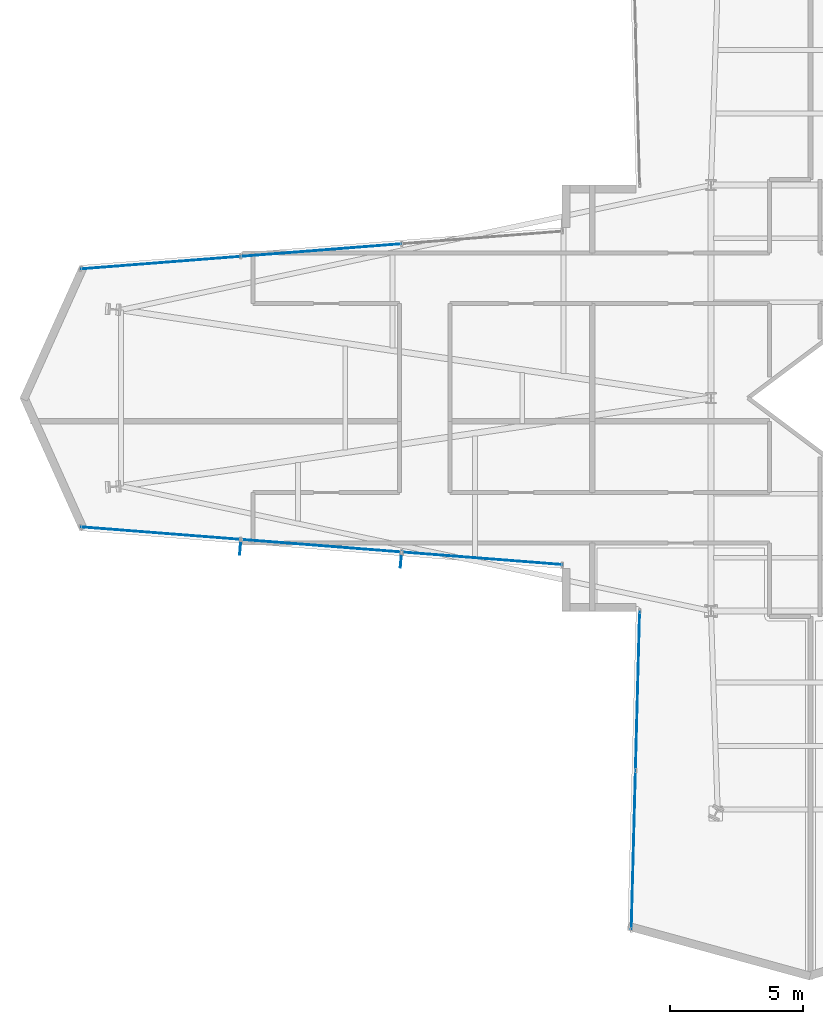
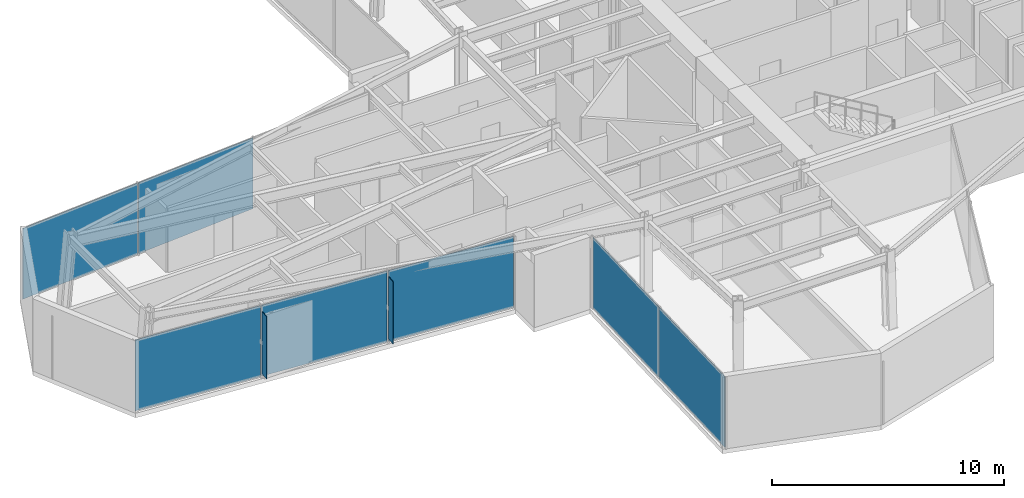
# One storey, part 24 of 31: 9 plates, 3 elements without a shape of their own.
"""IFC4 building model written with IfcOpenShell, lengths in metres."""

import ifcopenshell
import ifcopenshell.guid

model = None  # the IFC model being written
_history = None  # IfcOwnerHistory: only IFC2X3 demands one
_inside = {}  # id of a spatial element -> (the spatial element, [elements in it])
_under = {}  # id of a project, library or spatial element -> (it, [spatial elements below it])
_declared = {}  # id of a project -> (the project, [libraries it declares])
_typed = {}  # id of a type object -> (the type object, [elements of that type])
_made_of = {}  # id of a material, layer set ... -> (it, [elements and type objects made of it])


def new_model(schema):
    """Start an empty IFC model of exactly this schema.

    Asked for "IFC4X3", IfcOpenShell would pick the latest addendum, in which some entities
    have other attributes; the version numbers below select the first issue.
    IFC2X3 requires an IfcOwnerHistory on every rooted entity: one is made here for all.
    """
    global model, _history
    if schema == "IFC4X3":
        model = ifcopenshell.file(schema_version=(4, 3, 0, 0))
    else:
        model = ifcopenshell.file(schema=schema)
    _inside.clear()
    _under.clear()
    _declared.clear()
    _typed.clear()
    _made_of.clear()
    _history = None
    if model.schema == "IFC2X3":
        org = make("IfcOrganization", Name="unknown")
        user = make(
            "IfcPersonAndOrganization",
            ThePerson=make("IfcPerson", FamilyName="unknown"),
            TheOrganization=org,
        )
        app = make(
            "IfcApplication",
            ApplicationDeveloper=org,
            Version="unknown",
            ApplicationFullName="unknown",
            ApplicationIdentifier="unknown",
        )
        _history = make(
            "IfcOwnerHistory",
            OwningUser=user,
            OwningApplication=app,
            ChangeAction="ADDED",
            CreationDate=0,
        )
    return model


def make(cls, **values):
    """One entity of the class cls with the attributes given. An attribute that is None is left unset."""
    return model.create_entity(
        cls, **{name: value for name, value in values.items() if value is not None}
    )


def rooted(cls, **values):
    """An entity with a GlobalId (a new one), such as an element, a storey or a relation."""
    return make(cls, GlobalId=ifcopenshell.guid.new(), OwnerHistory=_history, **values)


def si_unit(unit_type, name, prefix=None):
    """IfcSIUnit, for example si_unit("LENGTHUNIT", "METRE", prefix="MILLI")."""
    return make("IfcSIUnit", UnitType=unit_type, Prefix=prefix, Name=name)


def assignment(units):
    """IfcUnitAssignment: the units of a project."""
    return None if units is None else make("IfcUnitAssignment", Units=units)


def point(xyz):
    """IfcCartesianPoint."""
    return None if xyz is None else make("IfcCartesianPoint", Coordinates=xyz)


def direction(xyz):
    """IfcDirection."""
    return None if xyz is None else make("IfcDirection", DirectionRatios=xyz)


def frame(location, z_axis=None, x_axis=None):
    """IfcAxis2Placement3D, a coordinate frame: its origin and axes. An axis left out is left unset."""
    return make(
        "IfcAxis2Placement3D",
        Location=point(location),
        Axis=direction(z_axis),
        RefDirection=direction(x_axis),
    )


def frame_2d(location, x_axis=None):
    """IfcAxis2Placement2D, a coordinate frame in the plane: its origin and x axis."""
    return make(
        "IfcAxis2Placement2D", Location=point(location), RefDirection=direction(x_axis)
    )


def origin():
    """The frame at (0, 0, 0) with its axes left unset."""
    return frame((0.0, 0.0, 0.0))


def origin_2d():
    """The frame at (0, 0) in the plane with its x axis left unset."""
    return frame_2d((0.0, 0.0))


def place(relative_to, where):
    """IfcLocalPlacement: puts the frame where relative to a parent placement (None: the world)."""
    return make(
        "IfcLocalPlacement", PlacementRelTo=relative_to, RelativePlacement=where
    )


def context(
    kind, dimensions, precision=None, world=None, true_north=None, identifier=None
):
    """IfcGeometricRepresentationContext, for example the 3D "Model" context."""
    return make(
        "IfcGeometricRepresentationContext",
        ContextIdentifier=identifier,
        ContextType=kind,
        CoordinateSpaceDimension=dimensions,
        Precision=precision,
        WorldCoordinateSystem=world,
        TrueNorth=true_north,
    )


def subcontext(parent, identifier, kind, view, scale=None):
    """IfcGeometricRepresentationSubContext, for example "Body" below "Model"."""
    return make(
        "IfcGeometricRepresentationSubContext",
        ContextIdentifier=identifier,
        ContextType=kind,
        ParentContext=parent,
        TargetScale=scale,
        TargetView=view,
    )


def project(units=None, contexts=None):
    """IfcProject with its units and contexts."""
    return rooted(
        "IfcProject",
        Name="project",
        RepresentationContexts=contexts,
        UnitsInContext=assignment(units),
    )


def spatial(cls, under=None, at=None, **own):
    """A site, building, storey or space (cls), placed at a placement, below another one or the project."""
    s = rooted(cls, ObjectPlacement=at, **own)
    if under is not None:
        _under.setdefault(under.id(), (under, []))[1].append(s)
    return s


def profile(cls, at=None, kind="AREA", **sizes):
    """A parametric profile (cls). Its sizes go by their IFC names, for example OverallWidth=200.0."""
    return make(cls, ProfileType=kind, Position=at, **sizes)


def rectangle(**sizes):
    """IfcRectangleProfileDef."""
    return profile("IfcRectangleProfileDef", **sizes)


def extrude(swept, where, along, depth):
    """IfcExtrudedAreaSolid: the profile swept, set in the frame where, extruded along a direction by depth."""
    return make(
        "IfcExtrudedAreaSolid",
        SweptArea=swept,
        Position=where,
        ExtrudedDirection=direction(along),
        Depth=depth,
    )


def shape(context_of_items, identifier, shape_type, items):
    """IfcShapeRepresentation: the items that make up one representation, for example the "Body"."""
    return make(
        "IfcShapeRepresentation",
        ContextOfItems=context_of_items,
        RepresentationIdentifier=identifier,
        RepresentationType=shape_type,
        Items=items,
    )


def material(Name=None, Category=None):
    """IfcMaterial."""
    return make("IfcMaterial", Name=Name, Category=Category)


def layer(
    of_material, thickness, ventilated=None, Name=None, Category=None, Priority=None
):
    """IfcMaterialLayer: one layer of a wall or slab, of a material (None: an air gap)."""
    return make(
        "IfcMaterialLayer",
        Material=of_material,
        LayerThickness=thickness,
        IsVentilated=ventilated,
        Name=Name,
        Category=Category,
        Priority=Priority,
    )


def layer_set(layers, Name=None):
    """IfcMaterialLayerSet."""
    return make("IfcMaterialLayerSet", MaterialLayers=layers, LayerSetName=Name)


def made_of(thing, what):
    """Note that an element or type object is made of a material, layer set ...; save() writes the relation."""
    if what is not None:
        _made_of.setdefault(what.id(), (what, []))[1].append(thing)
    return thing


def type_object(cls, material=None, **own):
    """A type object (cls), such as IfcWallType, which elements share."""
    return made_of(rooted(cls, **own), material)


def element(
    cls,
    number,
    at=None,
    inside=None,
    cuts=None,
    type_object=None,
    material=None,
    context=None,
    identifier="Body",
    shape_type=None,
    held_by="IfcProductDefinitionShape",
    body=None,
    shapes=None,
    **own,
):
    """One element of the class cls, such as IfcWall. Its Tag is "e" and its number.

    at: its placement. inside: the storey or other place that contains it. cuts: it is an
    opening in that element (IfcRelVoidsElement). A single representation is given by context,
    identifier, shape_type and body (its items); several are given by shapes. held_by: the class
    of the entity that holds the representations. save() writes the other relations.
    """
    e = rooted(cls, Tag="e%d" % number, ObjectPlacement=at, **own)
    if body is not None:
        shapes = [shape(context, identifier, shape_type, body)]
    if shapes is not None:
        e.Representation = make(held_by, Representations=shapes)
    if inside is not None:
        _inside.setdefault(inside.id(), (inside, []))[1].append(e)
    if cuts is not None:
        rooted(
            "IfcRelVoidsElement", RelatingBuildingElement=cuts, RelatedOpeningElement=e
        )
    if type_object is not None:
        _typed.setdefault(type_object.id(), (type_object, []))[1].append(e)
    return made_of(e, material)


def aggregate(whole, parts):
    """IfcRelAggregates: a whole, such as a stair, and the parts it consists of."""
    return rooted("IfcRelAggregates", RelatingObject=whole, RelatedObjects=parts)


def save(model, path):
    """Write the relations noted so far, then the file.

    IfcRelAggregates (storeys below a building ...), IfcRelContainedInSpatialStructure (elements
    in a storey), IfcRelDefinesByType, IfcRelAssociatesMaterial and IfcRelDeclares: one each for
    every whole, place, type object, material and project.
    """
    for whole, parts in _under.values():
        aggregate(whole, parts)
    for where, things in _inside.values():
        rooted(
            "IfcRelContainedInSpatialStructure",
            RelatedElements=things,
            RelatingStructure=where,
        )
    for kind, things in _typed.values():
        rooted("IfcRelDefinesByType", RelatedObjects=things, RelatingType=kind)
    for what, things in _made_of.values():
        rooted("IfcRelAssociatesMaterial", RelatedObjects=things, RelatingMaterial=what)
    for by, libraries in _declared.values():
        rooted("IfcRelDeclares", RelatingContext=by, RelatedDefinitions=libraries)
    model.write(path)


model = new_model("IFC4")

# Units and contexts
model_context = context("Model", 3, precision=1e-05, world=origin(), true_north=direction((0.0, 1.0)))
body_context = subcontext(model_context, "Body", "Model", "MODEL_VIEW")
ifc_project = project(units=[si_unit("LENGTHUNIT", "METRE"), si_unit("AREAUNIT", "SQUARE_METRE"), si_unit("VOLUMEUNIT", "CUBIC_METRE"), si_unit("PLANEANGLEUNIT", "RADIAN"), si_unit("MASSUNIT", "GRAM", prefix="KILO")], contexts=[model_context])

# Site, building, storey
site_placement = place(None, origin())
site = spatial("IfcSite", under=ifc_project, at=site_placement, CompositionType="ELEMENT")
building_placement = place(site_placement, origin())
building = spatial("IfcBuilding", under=site, at=building_placement, Name="Veymaron Broadcast Tower", CompositionType="ELEMENT")
storey_placement = place(building_placement, frame((0.0, 0.0, 70.199951171875)))
storey = spatial("IfcBuildingStorey", under=building, at=storey_placement, Name="L15", CompositionType="ELEMENT", Elevation=70.199951171875)

# Curtain wall, plates
ifc_material_1 = material(Name="Anodised aluminium AA 6063-T6 and laminated low-E dark glass", Category="aluminium")
ifc_layer_1 = layer(ifc_material_1, 0.179931640625)
ifc_layer_set_1 = layer_set([ifc_layer_1], Name="Anodised aluminium AA 6063-T6 and laminated low-E dark glass")
curtain_wall_type = type_object("IfcCurtainWallType", Name="CW-SYS-02", PredefinedType="NOTDEFINED", material=ifc_layer_set_1)
curtain_wall_1_placement = place(storey_placement, origin())
curtain_wall_1 = element("IfcCurtainWall", 1, at=curtain_wall_1_placement, inside=storey, type_object=curtain_wall_type, Name="L15 dark-glass curtain wall CW-L15-E11-1", PredefinedType="NOTDEFINED")
ifc_material_2 = material(Name="Double-silver solar-control dark glass IGU 32 mm", Category="glass")
ifc_layer_2 = layer(ifc_material_2, 0.031982421875)
ifc_layer_set_2 = layer_set([ifc_layer_2], Name="Double-silver solar-control dark glass IGU 32 mm")
plate_type_1 = type_object("IfcPlateType", Name="CW-PNL-02", PredefinedType="CURTAIN_PANEL", material=ifc_layer_set_2)
plate_1_placement = place(storey_placement, frame((16.56494140625, 29.55224609375, 0.0400390625), z_axis=(0.0, 0.0, 1.0), x_axis=(-0.996951473071, -0.078024101027, 0.0)))
plate_1 = element("IfcPlate", 2, at=plate_1_placement, type_object=plate_type_1, Name="CW-L15-E11-1 unitised curtain panel 1", PredefinedType="CURTAIN_PANEL", context=body_context, shape_type="SweptSolid", body=[
    extrude(rectangle(XDim=5.994384765625, YDim=0.031982421875, at=origin_2d()), origin(), (0.0, 0.0, 1.0), 3.72998046875),
])
plate_2_placement = place(storey_placement, frame((10.52880859375, 29.079833984375, 0.0400390625), z_axis=(0.0, 0.0, 1.0), x_axis=(-0.996951473071, -0.078024101027, 0.0)))
plate_2 = element("IfcPlate", 3, at=plate_2_placement, type_object=plate_type_1, Name="CW-L15-E11-1 unitised curtain panel 2", PredefinedType="CURTAIN_PANEL", context=body_context, shape_type="SweptSolid", body=[
    extrude(rectangle(XDim=5.994384765625, YDim=0.031982421875, at=origin_2d()), origin(), (0.0, 0.0, 1.0), 3.72998046875),
])
aggregate(curtain_wall_1, [plate_1, plate_2])

curtain_wall_2_placement = place(storey_placement, origin())
curtain_wall_2 = element("IfcCurtainWall", 4, at=curtain_wall_2_placement, inside=storey, type_object=curtain_wall_type, Name="L15 dark-glass curtain wall CW-L15-E14-1", PredefinedType="NOTDEFINED")
plate_3_placement = place(storey_placement, frame((10.52880859375, 18.920166015625, 0.0400390625), z_axis=(0.0, 0.0, 1.0), x_axis=(0.996951473071, -0.078024101027, 0.0)))
plate_3 = element("IfcPlate", 5, at=plate_3_placement, type_object=plate_type_1, Name="CW-L15-E14-1 unitised curtain panel 0", PredefinedType="CURTAIN_PANEL", context=body_context, shape_type="SweptSolid", body=[
    extrude(rectangle(XDim=5.994384765625, YDim=0.031982421875, at=origin_2d()), origin(), (0.0, 0.0, 1.0), 3.72998046875),
])
plate_4_placement = place(storey_placement, frame((16.56494140625, 18.44775390625, 0.0400390625), z_axis=(0.0, 0.0, 1.0), x_axis=(0.996951473071, -0.078024101027, 0.0)))
plate_4 = element("IfcPlate", 6, at=plate_4_placement, type_object=plate_type_1, Name="CW-L15-E14-1 unitised curtain panel 1", PredefinedType="CURTAIN_PANEL", context=body_context, shape_type="SweptSolid", body=[
    extrude(rectangle(XDim=5.994384765625, YDim=0.031982421875, at=origin_2d()), origin(), (0.0, 0.0, 1.0), 3.72998046875),
])
plate_5_placement = place(storey_placement, frame((22.600830078125, 17.975341796875, 0.0400390625), z_axis=(0.0, 0.0, 1.0), x_axis=(0.996951473071, -0.078024101027, 0.0)))
plate_5 = element("IfcPlate", 7, at=plate_5_placement, type_object=plate_type_1, Name="CW-L15-E14-1 unitised curtain panel 2", PredefinedType="CURTAIN_PANEL", context=body_context, shape_type="SweptSolid", body=[
    extrude(rectangle(XDim=5.994384765625, YDim=0.031982421875, at=origin_2d()), origin(), (0.0, 0.0, 1.0), 3.72998046875),
])
aggregate(curtain_wall_2, [plate_3, plate_4, plate_5])

curtain_wall_3_placement = place(storey_placement, origin())
curtain_wall_3 = element("IfcCurtainWall", 8, at=curtain_wall_3_placement, inside=storey, type_object=curtain_wall_type, Name="L15 dark-glass curtain wall CW-L15-E17-1", PredefinedType="NOTDEFINED")
plate_6_placement = place(storey_placement, frame((28.4482421875, 13.0009765625, 0.0400390625), z_axis=(0.0, 0.0, 1.0), x_axis=(-0.026299079294, -0.999654119397, 0.0)))
plate_6 = element("IfcPlate", 9, at=plate_6_placement, type_object=plate_type_1, Name="CW-L15-E17-1 unitised curtain panel 0", PredefinedType="CURTAIN_PANEL", context=body_context, shape_type="SweptSolid", body=[
    extrude(rectangle(XDim=5.9326171875, YDim=0.031982421875, at=origin_2d()), origin(), (0.0, 0.0, 1.0), 3.72998046875),
])
plate_7_placement = place(storey_placement, frame((28.29052734375, 7.010498046875, 0.0400390625), z_axis=(0.0, 0.0, 1.0), x_axis=(-0.026299079294, -0.999654119397, 0.0)))
plate_7 = element("IfcPlate", 10, at=plate_7_placement, type_object=plate_type_1, Name="CW-L15-E17-1 unitised curtain panel 1", PredefinedType="CURTAIN_PANEL", context=body_context, shape_type="SweptSolid", body=[
    extrude(rectangle(XDim=5.9326171875, YDim=0.031982421875, at=origin_2d()), origin(), (0.0, 0.0, 1.0), 3.72998046875),
])
aggregate(curtain_wall_3, [plate_6, plate_7])

# Plates
ifc_material_3 = material(Name="Dark-anodised aluminium AA 6061-T6", Category="aluminium")
ifc_layer_3 = layer(ifc_material_3, 0.034912109375)
ifc_layer_set_3 = layer_set([ifc_layer_3], Name="Dark-anodised aluminium AA 6061-T6")
plate_type_2 = type_object("IfcPlateType", Name="FIN-CHEV-01", PredefinedType="USERDEFINED", material=ifc_layer_set_3)
for number, where, z_axis, x_axis, name in (
    (11, (13.519287109375, 18.330078125, 0.2666015625), (0.0, 0.0, 1.0), (-0.078024101027, -0.996951473071, 0.0), "CW-L15-E14-1 chevron fin 1"),
    (12, (19.55517578125, 17.857666015625, 0.2666015625), (0.0, 0.0, 1.0), (-0.078024101027, -0.996951473071, 0.0), "CW-L15-E14-1 chevron fin 2"),
):
    element("IfcPlate", number, at=place(storey_placement, frame(where, z_axis=z_axis, x_axis=x_axis)), inside=storey, type_object=plate_type_2, Name=name, ObjectType="FIN", PredefinedType="USERDEFINED", context=body_context, shape_type="SweptSolid", body=[
        extrude(rectangle(XDim=0.449951171875, YDim=0.034912109375, at=origin_2d()), origin(), (0.0, 0.0, 1.0), 3.276611328125),
    ])

save(model, "model.ifc")
